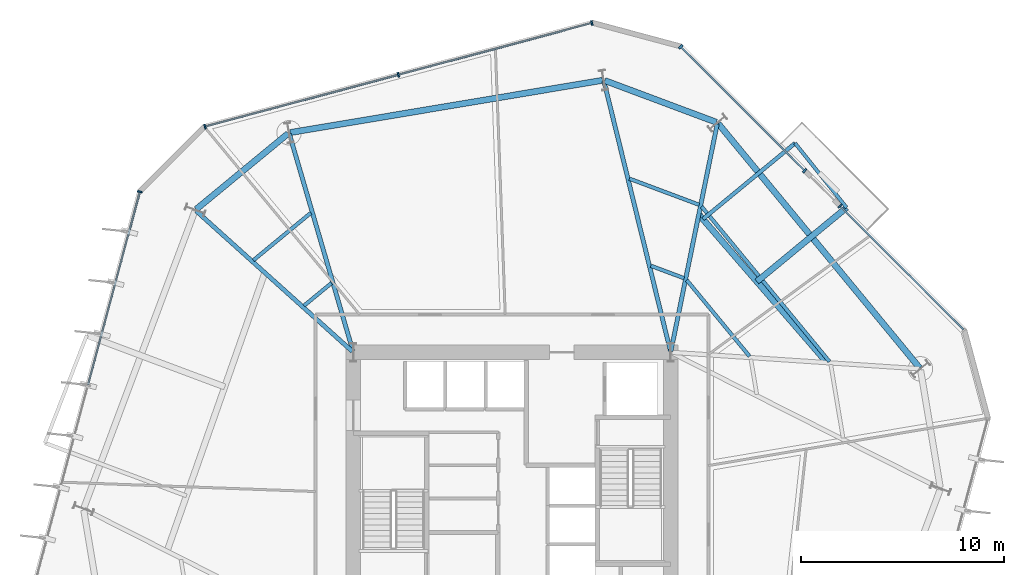
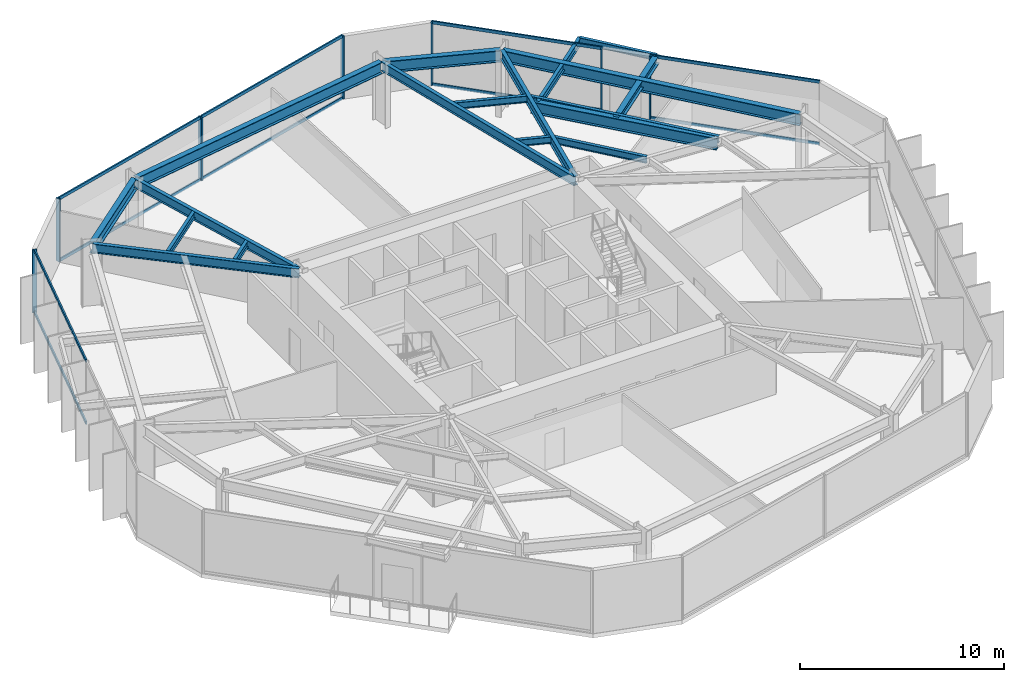
# One storey, part 4 of 10: 18 beams, 17 members, 4 elements without a shape of their own.
"""IFC4 building model written with IfcOpenShell, lengths in metres."""

from ifc_helpers import new_model, si_unit, direction, frame, origin, origin_2d, place, context, subcontext, project, spatial, rectangle, i_section, extrude, material, layer, layer_set, material_profile, profile_set, type_object, element, aggregate, save


model = new_model("IFC4")

# Units and contexts
model_context = context("Model", 3, precision=1e-05, world=origin(), true_north=direction((0.0, 1.0)))
body_context = subcontext(model_context, "Body", "Model", "MODEL_VIEW")
ifc_project = project(units=[si_unit("LENGTHUNIT", "METRE"), si_unit("AREAUNIT", "SQUARE_METRE"), si_unit("VOLUMEUNIT", "CUBIC_METRE"), si_unit("PLANEANGLEUNIT", "RADIAN"), si_unit("MASSUNIT", "GRAM", prefix="KILO")], contexts=[model_context])

# Site, building, storey
site_placement = place(None, origin())
site = spatial("IfcSite", under=ifc_project, at=site_placement, CompositionType="ELEMENT")
building_placement = place(site_placement, origin())
building = spatial("IfcBuilding", under=site, at=building_placement, Name="Kranzbogen Civic Tower", CompositionType="ELEMENT")
storey_placement = place(building_placement, frame((0.0, 0.0, 80.0)))
storey = spatial("IfcBuildingStorey", under=building, at=storey_placement, Name="L19", CompositionType="ELEMENT", Elevation=80.0)

# Beam
ifc_material_1 = material(Name="Steel S355", Category="steel")
ifc_material_profile_1 = material_profile(ifc_material_1, i_section(OverallWidth=0.18994140625, OverallDepth=0.449951171875, WebThickness=0.009521484375, FlangeThickness=0.0146484375, at=origin_2d()), Name="IPE 450")
ifc_profile_set_1 = profile_set([ifc_material_profile_1], Name="Steel S355")
beam_type_1 = type_object("IfcBeamType", Name="Braced Terrace Edge Beam IPE 450", PredefinedType="BEAM", material=ifc_profile_set_1)
beam_1_placement = place(storey_placement, frame((34.383056640625, 38.743896484375, 3.52490234375), z_axis=(0.771650394516, 0.636046907581, 0.0), x_axis=(-0.636046907581, 0.771650394516, 0.0)))
element("IfcBeam", 1, at=beam_1_placement, inside=storey, type_object=beam_type_1, Name="L20 back-spanned terrace beam L20-TB2-2", PredefinedType="BEAM", context=body_context, shape_type="SweptSolid", body=[
    extrude(i_section(OverallWidth=0.18994140625, OverallDepth=0.449951171875, WebThickness=0.009521484375, FlangeThickness=0.0146484375, at=origin_2d()), origin(), (0.0, 0.0, 1.0), 5.869384765625),
])

# Curtain wall, member
ifc_material_2 = material(Name="Pale Anodised Aluminium", Category="aluminium")
ifc_layer = layer(ifc_material_2, 0.219970703125, Name="Pale Anodised Aluminium")
ifc_layer_set = layer_set([ifc_layer], Name="Pale Anodised Aluminium")
curtain_wall_type = type_object("IfcCurtainWallType", Name="Zone 1 Stick Curtain Wall System CW-02", PredefinedType="USERDEFINED", material=ifc_layer_set)
curtain_wall_1_placement = place(storey_placement, origin())
curtain_wall_1 = element("IfcCurtainWall", 2, at=curtain_wall_1_placement, inside=storey, type_object=curtain_wall_type, Name="L19 curtain wall CW-L19-F1-S1", ObjectType="STICK CURTAIN WALL", PredefinedType="USERDEFINED")
ifc_material_profile_2 = material_profile(ifc_material_2, rectangle(XDim=0.080078125, YDim=0.239990234375, at=origin_2d()), Name="ALU-M 80x240")
ifc_profile_set_2 = profile_set([ifc_material_profile_2], Name="Pale Anodised Aluminium")
member_type_1 = type_object("IfcMemberType", Name="Curtain Wall Mullion ALU-M 80x240", PredefinedType="MULLION", material=ifc_profile_set_2)
member_1_placement = place(storey_placement, frame((41.124267578125, 39.3837890625, 0.0), z_axis=(0.0, 0.0, 1.0), x_axis=(-0.707106781187, 0.707106781187, 0.0)))
member_1 = element("IfcMember", 3, at=member_1_placement, type_object=member_type_1, Name="CW-02 mullion 2", PredefinedType="MULLION", context=body_context, shape_type="SweptSolid", body=[
    extrude(rectangle(XDim=0.080078125, YDim=0.239990234375, at=origin_2d()), origin(), (0.0, 0.0, 1.0), 3.760009765625),
])

# Curtain wall, members
curtain_wall_2_placement = place(storey_placement, origin())
curtain_wall_2 = element("IfcCurtainWall", 4, at=curtain_wall_2_placement, inside=storey, type_object=curtain_wall_type, Name="L19 curtain wall CW-L19-F1-S2", ObjectType="STICK CURTAIN WALL", PredefinedType="USERDEFINED")
member_2_placement = place(storey_placement, frame((39.3837890625, 41.124267578125, 0.0), z_axis=(0.0, 0.0, 1.0), x_axis=(-0.707106781187, 0.707106781187, 0.0)))
member_2 = element("IfcMember", 5, at=member_2_placement, type_object=member_type_1, Name="CW-02 mullion 1", PredefinedType="MULLION", context=body_context, shape_type="SweptSolid", body=[
    extrude(rectangle(XDim=0.080078125, YDim=0.239990234375, at=origin_2d()), origin(), (0.0, 0.0, 1.0), 3.760009765625),
])
member_3_placement = place(storey_placement, frame((33.294189453125, 47.2138671875, 0.0), z_axis=(0.0, 0.0, 1.0), x_axis=(-0.707106781187, 0.707106781187, 0.0)))
member_3 = element("IfcMember", 6, at=member_3_placement, type_object=member_type_1, Name="CW-02 mullion 2", PredefinedType="MULLION", context=body_context, shape_type="SweptSolid", body=[
    extrude(rectangle(XDim=0.080078125, YDim=0.239990234375, at=origin_2d()), origin(), (0.0, 0.0, 1.0), 3.760009765625),
])

curtain_wall_3_placement = place(storey_placement, origin())
curtain_wall_3 = element("IfcCurtainWall", 7, at=curtain_wall_3_placement, inside=storey, type_object=curtain_wall_type, Name="L19 curtain wall CW-L19-F2", ObjectType="STICK CURTAIN WALL", PredefinedType="USERDEFINED")
member_4_placement = place(storey_placement, frame((28.924072265625, 48.38525390625, 0.0), z_axis=(0.0, 0.0, 1.0), x_axis=(-0.96591730458, -0.258850846459, 0.0)))
member_4 = element("IfcMember", 8, at=member_4_placement, type_object=member_type_1, Name="CW-02 mullion 1", PredefinedType="MULLION", context=body_context, shape_type="SweptSolid", body=[
    extrude(rectangle(XDim=0.080078125, YDim=0.239990234375, at=origin_2d()), origin(), (0.0, 0.0, 1.0), 3.760009765625),
])
member_5_placement = place(storey_placement, frame((19.4169921875, 45.83740234375, 0.0), z_axis=(0.0, 0.0, 1.0), x_axis=(-0.96591730458, -0.258850846459, 0.0)))
member_5 = element("IfcMember", 9, at=member_5_placement, type_object=member_type_1, Name="CW-02 mullion 2", PredefinedType="MULLION", context=body_context, shape_type="SweptSolid", body=[
    extrude(rectangle(XDim=0.080078125, YDim=0.239990234375, at=origin_2d()), origin(), (0.0, 0.0, 1.0), 3.760009765625),
])
member_6_placement = place(storey_placement, frame((9.909912109375, 43.289794921875, 0.0), z_axis=(0.0, 0.0, 1.0), x_axis=(-0.96591730458, -0.258850846459, 0.0)))
member_6 = element("IfcMember", 10, at=member_6_placement, type_object=member_type_1, Name="CW-02 mullion 3", PredefinedType="MULLION", context=body_context, shape_type="SweptSolid", body=[
    extrude(rectangle(XDim=0.080078125, YDim=0.239990234375, at=origin_2d()), origin(), (0.0, 0.0, 1.0), 3.760009765625),
])

# Curtain wall, member
curtain_wall_4_placement = place(storey_placement, origin())
curtain_wall_4 = element("IfcCurtainWall", 11, at=curtain_wall_4_placement, inside=storey, type_object=curtain_wall_type, Name="L19 curtain wall CW-L19-F3", ObjectType="STICK CURTAIN WALL", PredefinedType="USERDEFINED")
member_7_placement = place(storey_placement, frame((6.710205078125, 40.090087890625, 0.0), z_axis=(0.0, 0.0, 1.0), x_axis=(-0.258850846459, -0.96591730458, 0.0)))
member_7 = element("IfcMember", 12, at=member_7_placement, type_object=member_type_1, Name="CW-02 mullion 1", PredefinedType="MULLION", context=body_context, shape_type="SweptSolid", body=[
    extrude(rectangle(XDim=0.080078125, YDim=0.239990234375, at=origin_2d()), origin(), (0.0, 0.0, 1.0), 3.760009765625),
])

# Member
ifc_material_profile_3 = material_profile(ifc_material_2, rectangle(XDim=0.080078125, YDim=0.179931640625, at=origin_2d()), Name="ALU-T 80x180")
ifc_profile_set_3 = profile_set([ifc_material_profile_3], Name="Pale Anodised Aluminium")
member_type_2 = type_object("IfcMemberType", Name="Curtain Wall Transom ALU-T 80x180", PredefinedType="USERDEFINED", material=ifc_profile_set_3)
member_8_placement = place(storey_placement, frame((47.192626953125, 33.3154296875, 0.030029296875), z_axis=(-0.707106781187, 0.707106781187, 0.0), x_axis=(-0.707106781187, -0.707106781187, 0.0)))
member_8 = element("IfcMember", 13, at=member_8_placement, type_object=member_type_2, Name="CW-02 transom 1.1", ObjectType="TRANSOM", PredefinedType="USERDEFINED", context=body_context, shape_type="SweptSolid", body=[
    extrude(rectangle(XDim=0.080078125, YDim=0.179931640625, at=origin_2d()), origin(), (0.0, 0.0, 1.0), 8.552001953125),
])

member_9_placement = place(storey_placement, frame((47.192626953125, 33.3154296875, 3.72998046875), z_axis=(-0.707106781187, 0.707106781187, 0.0), x_axis=(-0.707106781187, -0.707106781187, 0.0)))
member_9 = element("IfcMember", 14, at=member_9_placement, type_object=member_type_2, Name="CW-02 transom 1.2", ObjectType="TRANSOM", PredefinedType="USERDEFINED", context=body_context, shape_type="SweptSolid", body=[
    extrude(rectangle(XDim=0.080078125, YDim=0.179931640625, at=origin_2d()), origin(), (0.0, 0.0, 1.0), 8.552001953125),
])

aggregate(curtain_wall_1, [member_1, member_8, member_9])

member_10_placement = place(storey_placement, frame((39.362548828125, 41.1455078125, 0.030029296875), z_axis=(-0.707106781187, 0.707106781187, 0.0), x_axis=(-0.707106781187, -0.707106781187, 0.0)))
member_10 = element("IfcMember", 15, at=member_10_placement, type_object=member_type_2, Name="CW-02 transom 1.1", ObjectType="TRANSOM", PredefinedType="USERDEFINED", context=body_context, shape_type="SweptSolid", body=[
    extrude(rectangle(XDim=0.080078125, YDim=0.179931640625, at=origin_2d()), origin(), (0.0, 0.0, 1.0), 8.552001953125),
])

member_11_placement = place(storey_placement, frame((39.362548828125, 41.1455078125, 3.72998046875), z_axis=(-0.707106781187, 0.707106781187, 0.0), x_axis=(-0.707106781187, -0.707106781187, 0.0)))
member_11 = element("IfcMember", 16, at=member_11_placement, type_object=member_type_2, Name="CW-02 transom 1.2", ObjectType="TRANSOM", PredefinedType="USERDEFINED", context=body_context, shape_type="SweptSolid", body=[
    extrude(rectangle(XDim=0.080078125, YDim=0.179931640625, at=origin_2d()), origin(), (0.0, 0.0, 1.0), 8.552001953125),
])

aggregate(curtain_wall_2, [member_2, member_3, member_10, member_11])

member_12_placement = place(storey_placement, frame((28.89501953125, 48.37744140625, 0.030029296875), z_axis=(-0.965916077313, -0.258855426036, 0.0), x_axis=(0.258855426036, -0.965916077313, 0.0)))
member_12 = element("IfcMember", 17, at=member_12_placement, type_object=member_type_2, Name="CW-02 transom 1.1", ObjectType="TRANSOM", PredefinedType="USERDEFINED", context=body_context, shape_type="SweptSolid", body=[
    extrude(rectangle(XDim=0.080078125, YDim=0.179931640625, at=origin_2d()), origin(), (0.0, 0.0, 1.0), 9.782470703125),
])

member_13_placement = place(storey_placement, frame((28.89501953125, 48.37744140625, 3.72998046875), z_axis=(-0.965916077313, -0.258855426036, 0.0), x_axis=(0.258855426036, -0.965916077313, 0.0)))
member_13 = element("IfcMember", 18, at=member_13_placement, type_object=member_type_2, Name="CW-02 transom 1.2", ObjectType="TRANSOM", PredefinedType="USERDEFINED", context=body_context, shape_type="SweptSolid", body=[
    extrude(rectangle(XDim=0.080078125, YDim=0.179931640625, at=origin_2d()), origin(), (0.0, 0.0, 1.0), 9.782470703125),
])

member_14_placement = place(storey_placement, frame((19.387939453125, 45.829833984375, 0.030029296875), z_axis=(-0.965916077313, -0.258855426036, 0.0), x_axis=(0.258855426036, -0.965916077313, 0.0)))
member_14 = element("IfcMember", 19, at=member_14_placement, type_object=member_type_2, Name="CW-02 transom 2.1", ObjectType="TRANSOM", PredefinedType="USERDEFINED", context=body_context, shape_type="SweptSolid", body=[
    extrude(rectangle(XDim=0.080078125, YDim=0.179931640625, at=origin_2d()), origin(), (0.0, 0.0, 1.0), 9.782470703125),
])

member_15_placement = place(storey_placement, frame((19.387939453125, 45.829833984375, 3.72998046875), z_axis=(-0.965916077313, -0.258855426036, 0.0), x_axis=(0.258855426036, -0.965916077313, 0.0)))
member_15 = element("IfcMember", 20, at=member_15_placement, type_object=member_type_2, Name="CW-02 transom 2.2", ObjectType="TRANSOM", PredefinedType="USERDEFINED", context=body_context, shape_type="SweptSolid", body=[
    extrude(rectangle(XDim=0.080078125, YDim=0.179931640625, at=origin_2d()), origin(), (0.0, 0.0, 1.0), 9.782470703125),
])

aggregate(curtain_wall_3, [member_4, member_5, member_6, member_12, member_13, member_14, member_15])

member_16_placement = place(storey_placement, frame((6.702392578125, 40.06103515625, 0.030029296875), z_axis=(-0.258855426036, -0.965916077313, 0.0), x_axis=(0.965916077313, -0.258855426036, 0.0)))
member_16 = element("IfcMember", 21, at=member_16_placement, type_object=member_type_2, Name="CW-02 transom 1.1", ObjectType="TRANSOM", PredefinedType="USERDEFINED", context=body_context, shape_type="SweptSolid", body=[
    extrude(rectangle(XDim=0.080078125, YDim=0.179931640625, at=origin_2d()), origin(), (0.0, 0.0, 1.0), 9.782470703125),
])

member_17_placement = place(storey_placement, frame((6.702392578125, 40.06103515625, 3.72998046875), z_axis=(-0.258855426036, -0.965916077313, 0.0), x_axis=(0.965916077313, -0.258855426036, 0.0)))
member_17 = element("IfcMember", 22, at=member_17_placement, type_object=member_type_2, Name="CW-02 transom 1.2", ObjectType="TRANSOM", PredefinedType="USERDEFINED", context=body_context, shape_type="SweptSolid", body=[
    extrude(rectangle(XDim=0.080078125, YDim=0.179931640625, at=origin_2d()), origin(), (0.0, 0.0, 1.0), 9.782470703125),
])

aggregate(curtain_wall_4, [member_7, member_16, member_17])

# Beams
ifc_material_profile_4 = material_profile(ifc_material_1, i_section(OverallWidth=0.300048828125, OverallDepth=0.5, WebThickness=0.014404296875, FlangeThickness=0.028076171875, at=origin_2d()), Name="HEB 500")
ifc_profile_set_4 = profile_set([ifc_material_profile_4], Name="Steel S355")
beam_type_2 = type_object("IfcBeamType", Name="Perimeter Tube Spandrel Beam HEB 500", PredefinedType="SPANDREL", material=ifc_profile_set_4)
beam_2_placement = place(storey_placement, frame((37.034912109375, 35.676025390625, 3.5), z_axis=(0.771608176497, 0.636098122904, 0.0), x_axis=(-0.636098122904, 0.771608176497, 0.0)))
element("IfcBeam", 23, at=beam_2_placement, inside=storey, type_object=beam_type_2, Name="L20 back-spanned terrace beam L20-TB2-1", PredefinedType="SPANDREL", context=body_context, shape_type="SweptSolid", body=[
    extrude(i_section(OverallWidth=0.300048828125, OverallDepth=0.5, WebThickness=0.014404296875, FlangeThickness=0.028076171875, at=origin_2d()), origin(), (0.0, 0.0, 1.0), 5.712890625),
])
ifc_material_profile_5 = material_profile(ifc_material_1, i_section(OverallWidth=0.300048828125, OverallDepth=0.699951171875, WebThickness=0.01708984375, FlangeThickness=0.031982421875, at=origin_2d()), Name="HEB 700")
ifc_profile_set_5 = profile_set([ifc_material_profile_5], Name="Steel S355")
beam_type_3 = type_object("IfcBeamType", Name="Perimeter Tube Spandrel Beam HEB 700", PredefinedType="SPANDREL", material=ifc_profile_set_5)
beam_3_placement = place(storey_placement, frame((45.033935546875, 31.431884765625, 3.409912109375), z_axis=(-0.636074572579, 0.771627590304, 0.0), x_axis=(-0.771627590304, -0.636074572579, 0.0)))
element("IfcBeam", 24, at=beam_3_placement, inside=storey, type_object=beam_type_3, Name="L19 perimeter spandrel beam 08", PredefinedType="SPANDREL", context=body_context, shape_type="SweptSolid", body=[
    extrude(i_section(OverallWidth=0.300048828125, OverallDepth=0.699951171875, WebThickness=0.01708984375, FlangeThickness=0.031982421875, at=origin_2d()), origin(), (0.0, 0.0, 1.0), 15.5595703125),
])
beam_4_placement = place(storey_placement, frame((35.04296875, 43.5048828125, 3.409912109375), z_axis=(-0.936647646965, 0.350273015568, 0.0), x_axis=(-0.350273015568, -0.936647646965, 0.0)))
element("IfcBeam", 25, at=beam_4_placement, inside=storey, type_object=beam_type_3, Name="L19 perimeter spandrel beam 09", PredefinedType="SPANDREL", context=body_context, shape_type="SweptSolid", body=[
    extrude(i_section(OverallWidth=0.300048828125, OverallDepth=0.699951171875, WebThickness=0.01708984375, FlangeThickness=0.031982421875, at=origin_2d()), origin(), (0.0, 0.0, 1.0), 5.852783203125),
])
beam_5_placement = place(storey_placement, frame((29.446044921875, 45.56591796875, 3.409912109375), z_axis=(-0.986285563243, -0.165047834697, 0.0), x_axis=(0.165047834697, -0.986285563243, 0.0)))
element("IfcBeam", 26, at=beam_5_placement, inside=storey, type_object=beam_type_3, Name="L19 perimeter spandrel beam 10", PredefinedType="SPANDREL", context=body_context, shape_type="SweptSolid", body=[
    extrude(i_section(OverallWidth=0.300048828125, OverallDepth=0.699951171875, WebThickness=0.01708984375, FlangeThickness=0.031982421875, at=origin_2d()), origin(), (0.0, 0.0, 1.0), 15.558349609375),
])
beam_6_placement = place(storey_placement, frame((13.99609375, 42.949951171875, 3.409912109375), z_axis=(-0.77168336865, -0.636006901337, 0.0), x_axis=(0.636006901337, -0.77168336865, 0.0)))
element("IfcBeam", 27, at=beam_6_placement, inside=storey, type_object=beam_type_3, Name="L19 perimeter spandrel beam 11", PredefinedType="SPANDREL", context=body_context, shape_type="SweptSolid", body=[
    extrude(i_section(OverallWidth=0.300048828125, OverallDepth=0.699951171875, WebThickness=0.01708984375, FlangeThickness=0.031982421875, at=origin_2d()), origin(), (0.0, 0.0, 1.0), 5.853515625),
])
beam_7_placement = place(storey_placement, frame((40.48193359375, 31.68994140625, 3.39990234375), z_axis=(-0.654072384898, 0.75643196344, 0.0), x_axis=(-0.75643196344, -0.654072384898, 0.0)))
element("IfcBeam", 28, at=beam_7_placement, inside=storey, type_object=beam_type_3, Name="L20 balcony back-span header girder L20-TB2", PredefinedType="SPANDREL", context=body_context, shape_type="SweptSolid", body=[
    extrude(i_section(OverallWidth=0.300048828125, OverallDepth=0.699951171875, WebThickness=0.01708984375, FlangeThickness=0.031982421875, at=origin_2d()), origin(), (0.0, 0.0, 1.0), 9.633544921875),
])
ifc_material_profile_6 = material_profile(ifc_material_1, i_section(OverallWidth=0.2099609375, OverallDepth=0.550048828125, WebThickness=0.010986328125, FlangeThickness=0.01708984375, at=origin_2d()), Name="IPE 550")
ifc_profile_set_6 = profile_set([ifc_material_profile_6], Name="Steel S355")
beam_type_4 = type_object("IfcBeamType", Name="Radial Tower Floor Girder IPE 550", PredefinedType="BEAM", material=ifc_profile_set_6)
beam_8_placement = place(storey_placement, frame((35.0869140625, 43.425048828125, 3.485107421875), z_axis=(-0.199633433694, -0.979870650725, 0.0), x_axis=(0.979870650725, -0.199633433694, 0.0)))
element("IfcBeam", 29, at=beam_8_placement, inside=storey, type_object=beam_type_4, Name="L19 radial floor girder 09", PredefinedType="BEAM", context=body_context, shape_type="SweptSolid", body=[
    extrude(i_section(OverallWidth=0.2099609375, OverallDepth=0.550048828125, WebThickness=0.010986328125, FlangeThickness=0.01708984375, at=origin_2d()), origin(), (0.0, 0.0, 1.0), 11.3955078125),
])
beam_9_placement = place(storey_placement, frame((29.51904296875, 45.51806640625, 3.485107421875), z_axis=(0.239215348776, -0.970966537482, 0.0), x_axis=(0.970966537482, 0.239215348776, 0.0)))
element("IfcBeam", 30, at=beam_9_placement, inside=storey, type_object=beam_type_4, Name="L19 radial floor girder 10", PredefinedType="BEAM", context=body_context, shape_type="SweptSolid", body=[
    extrude(i_section(OverallWidth=0.2099609375, OverallDepth=0.550048828125, WebThickness=0.010986328125, FlangeThickness=0.01708984375, at=origin_2d()), origin(), (0.0, 0.0, 1.0), 13.656494140625),
])
beam_10_placement = place(storey_placement, frame((14.05908203125, 42.929931640625, 3.485107421875), z_axis=(0.280944131918, -0.959724124288, 0.0), x_axis=(0.959724124288, 0.280944131918, 0.0)))
element("IfcBeam", 31, at=beam_10_placement, inside=storey, type_object=beam_type_4, Name="L19 radial floor girder 11", PredefinedType="BEAM", context=body_context, shape_type="SweptSolid", body=[
    extrude(i_section(OverallWidth=0.2099609375, OverallDepth=0.550048828125, WebThickness=0.010986328125, FlangeThickness=0.01708984375, at=origin_2d()), origin(), (0.0, 0.0, 1.0), 11.11962890625),
])
beam_11_placement = place(storey_placement, frame((9.47802734375, 39.14892578125, 3.485107421875), z_axis=(0.743311776894, -0.668945141496, 0.0), x_axis=(0.668945141496, 0.743311776894, 0.0)))
element("IfcBeam", 32, at=beam_11_placement, inside=storey, type_object=beam_type_4, Name="L19 radial floor girder 12", PredefinedType="BEAM", context=body_context, shape_type="SweptSolid", body=[
    extrude(i_section(OverallWidth=0.2099609375, OverallDepth=0.550048828125, WebThickness=0.010986328125, FlangeThickness=0.01708984375, at=origin_2d()), origin(), (0.0, 0.0, 1.0), 10.328125),
])
ifc_material_profile_7 = material_profile(ifc_material_1, i_section(OverallWidth=0.169921875, OverallDepth=0.360107421875, WebThickness=0.008056640625, FlangeThickness=0.0126953125, at=origin_2d()), Name="IPE 360")
ifc_profile_set_7 = profile_set([ifc_material_profile_7], Name="Steel S355")
beam_type_5 = type_object("IfcBeamType", Name="Secondary Composite Floor Joist IPE 360", PredefinedType="JOIST", material=ifc_profile_set_7)
beam_12_placement = place(storey_placement, frame((41.443115234375, 39.31005859375, 3.570068359375), z_axis=(-0.624305740002, 0.781180096393, 0.0), x_axis=(-0.781180096393, -0.624305740002, 0.0)))
element("IfcBeam", 33, at=beam_12_placement, inside=storey, type_object=beam_type_5, Name="L20 terrace outer edge trimmer L20-TB2", PredefinedType="JOIST", context=body_context, shape_type="SweptSolid", body=[
    extrude(i_section(OverallWidth=0.169921875, OverallDepth=0.360107421875, WebThickness=0.008056640625, FlangeThickness=0.0126953125, at=origin_2d()), origin(), (0.0, 0.0, 1.0), 4.05419921875),
])
ifc_material_profile_8 = material_profile(ifc_material_1, i_section(OverallWidth=0.179931640625, OverallDepth=0.39990234375, WebThickness=0.008544921875, FlangeThickness=0.013427734375, at=origin_2d()), Name="IPE 400")
ifc_profile_set_8 = profile_set([ifc_material_profile_8], Name="Steel S355")
beam_type_6 = type_object("IfcBeamType", Name="Secondary Composite Floor Joist IPE 400", PredefinedType="JOIST", material=ifc_profile_set_8)
beam_13_placement = place(storey_placement, frame((40.60302734375, 31.740966796875, 3.56005859375), z_axis=(-0.636094561772, 0.771611112209, 0.0), x_axis=(-0.771611112209, -0.636094561772, 0.0)))
element("IfcBeam", 34, at=beam_13_placement, inside=storey, type_object=beam_type_6, Name="L19 secondary floor joist 1.08", PredefinedType="JOIST", context=body_context, shape_type="SweptSolid", body=[
    extrude(i_section(OverallWidth=0.179931640625, OverallDepth=0.39990234375, WebThickness=0.008544921875, FlangeThickness=0.013427734375, at=origin_2d()), origin(), (0.0, 0.0, 1.0), 9.874267578125),
])
beam_14_placement = place(storey_placement, frame((36.676025390625, 32.0009765625, 3.56005859375), z_axis=(-0.636012010413, 0.771679157818, 0.0), x_axis=(-0.771679157818, -0.636012010413, 0.0)))
element("IfcBeam", 35, at=beam_14_placement, inside=storey, type_object=beam_type_6, Name="L19 secondary floor joist 2.08", PredefinedType="JOIST", context=body_context, shape_type="SweptSolid", body=[
    extrude(i_section(OverallWidth=0.179931640625, OverallDepth=0.39990234375, WebThickness=0.008544921875, FlangeThickness=0.013427734375, at=origin_2d()), origin(), (0.0, 0.0, 1.0), 4.85693359375),
])
beam_15_placement = place(storey_placement, frame((34.196044921875, 39.449951171875, 3.56005859375), z_axis=(-0.936622008794, 0.350341565678, 0.0), x_axis=(-0.350341565678, -0.936622008794, 0.0)))
element("IfcBeam", 36, at=beam_15_placement, inside=storey, type_object=beam_type_6, Name="L19 secondary floor joist 1.09", PredefinedType="JOIST", context=body_context, shape_type="SweptSolid", body=[
    extrude(i_section(OverallWidth=0.179931640625, OverallDepth=0.39990234375, WebThickness=0.008544921875, FlangeThickness=0.013427734375, at=origin_2d()), origin(), (0.0, 0.0, 1.0), 3.662109375),
])
beam_16_placement = place(storey_placement, frame((33.4609375, 35.839111328125, 3.56005859375), z_axis=(-0.936735458815, 0.350038112495, 0.0), x_axis=(-0.350038112495, -0.936735458815, 0.0)))
element("IfcBeam", 37, at=beam_16_placement, inside=storey, type_object=beam_type_6, Name="L19 secondary floor joist 2.09", PredefinedType="JOIST", context=body_context, shape_type="SweptSolid", body=[
    extrude(i_section(OverallWidth=0.179931640625, OverallDepth=0.39990234375, WebThickness=0.008544921875, FlangeThickness=0.013427734375, at=origin_2d()), origin(), (0.0, 0.0, 1.0), 1.750732421875),
])
beam_17_placement = place(storey_placement, frame((15.116943359375, 39.052978515625, 3.56005859375), z_axis=(-0.771712720426, -0.635971286406, 0.0), x_axis=(0.635971286406, -0.771712720426, 0.0)))
element("IfcBeam", 38, at=beam_17_placement, inside=storey, type_object=beam_type_6, Name="L19 secondary floor joist 1.11", PredefinedType="JOIST", context=body_context, shape_type="SweptSolid", body=[
    extrude(i_section(OverallWidth=0.179931640625, OverallDepth=0.39990234375, WebThickness=0.008544921875, FlangeThickness=0.013427734375, at=origin_2d()), origin(), (0.0, 0.0, 1.0), 3.661865234375),
])
beam_18_placement = place(storey_placement, frame((16.1279296875, 35.60107421875, 3.56005859375), z_axis=(-0.771773324836, -0.635897739477, 0.0), x_axis=(0.635897739477, -0.771773324836, 0.0)))
element("IfcBeam", 39, at=beam_18_placement, inside=storey, type_object=beam_type_6, Name="L19 secondary floor joist 2.11", PredefinedType="JOIST", context=body_context, shape_type="SweptSolid", body=[
    extrude(i_section(OverallWidth=0.179931640625, OverallDepth=0.39990234375, WebThickness=0.008544921875, FlangeThickness=0.013427734375, at=origin_2d()), origin(), (0.0, 0.0, 1.0), 1.751953125),
])

save(model, "model.ifc")
